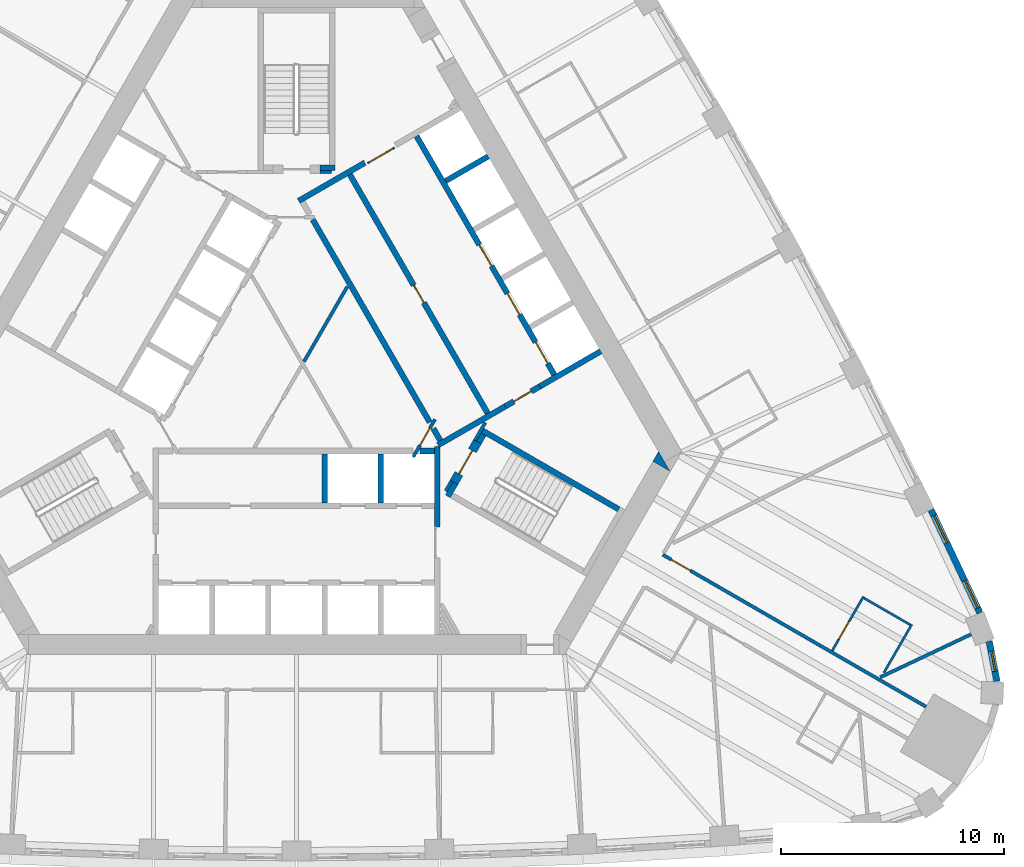
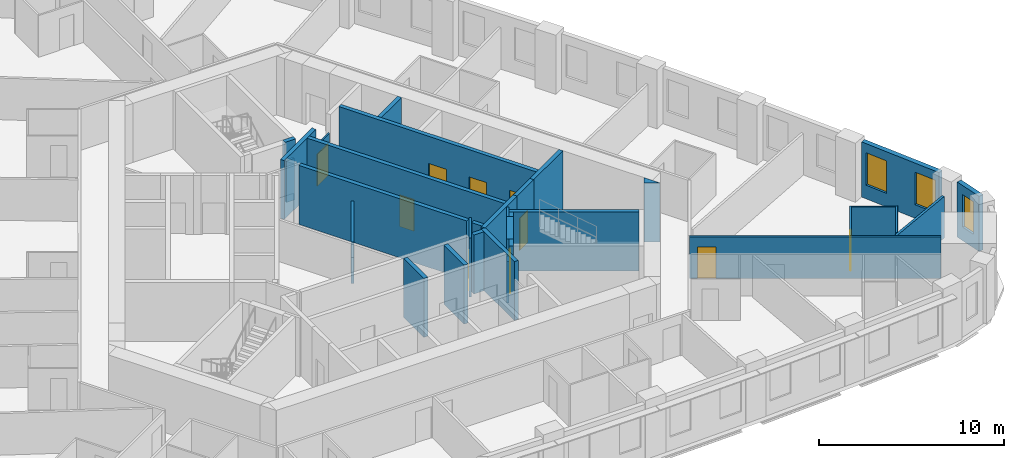
# One storey, part 8 of 12: 32 walls, 10 doors, 3 windows, 13 openings.
"""IFC4 building model written with IfcOpenShell, lengths in metres."""

import ifcopenshell
import ifcopenshell.guid

model = None  # the IFC model being written
_history = None  # IfcOwnerHistory: only IFC2X3 demands one
_inside = {}  # id of a spatial element -> (the spatial element, [elements in it])
_under = {}  # id of a project, library or spatial element -> (it, [spatial elements below it])
_declared = {}  # id of a project -> (the project, [libraries it declares])
_typed = {}  # id of a type object -> (the type object, [elements of that type])
_made_of = {}  # id of a material, layer set ... -> (it, [elements and type objects made of it])


def new_model(schema):
    """Start an empty IFC model of exactly this schema.

    Asked for "IFC4X3", IfcOpenShell would pick the latest addendum, in which some entities
    have other attributes; the version numbers below select the first issue.
    IFC2X3 requires an IfcOwnerHistory on every rooted entity: one is made here for all.
    """
    global model, _history
    if schema == "IFC4X3":
        model = ifcopenshell.file(schema_version=(4, 3, 0, 0))
    else:
        model = ifcopenshell.file(schema=schema)
    _inside.clear()
    _under.clear()
    _declared.clear()
    _typed.clear()
    _made_of.clear()
    _history = None
    if model.schema == "IFC2X3":
        org = make("IfcOrganization", Name="unknown")
        user = make(
            "IfcPersonAndOrganization",
            ThePerson=make("IfcPerson", FamilyName="unknown"),
            TheOrganization=org,
        )
        app = make(
            "IfcApplication",
            ApplicationDeveloper=org,
            Version="unknown",
            ApplicationFullName="unknown",
            ApplicationIdentifier="unknown",
        )
        _history = make(
            "IfcOwnerHistory",
            OwningUser=user,
            OwningApplication=app,
            ChangeAction="ADDED",
            CreationDate=0,
        )
    return model


def make(cls, **values):
    """One entity of the class cls with the attributes given. An attribute that is None is left unset."""
    return model.create_entity(
        cls, **{name: value for name, value in values.items() if value is not None}
    )


def rooted(cls, **values):
    """An entity with a GlobalId (a new one), such as an element, a storey or a relation."""
    return make(cls, GlobalId=ifcopenshell.guid.new(), OwnerHistory=_history, **values)


def si_unit(unit_type, name, prefix=None):
    """IfcSIUnit, for example si_unit("LENGTHUNIT", "METRE", prefix="MILLI")."""
    return make("IfcSIUnit", UnitType=unit_type, Prefix=prefix, Name=name)


def assignment(units):
    """IfcUnitAssignment: the units of a project."""
    return None if units is None else make("IfcUnitAssignment", Units=units)


def point(xyz):
    """IfcCartesianPoint."""
    return None if xyz is None else make("IfcCartesianPoint", Coordinates=xyz)


def direction(xyz):
    """IfcDirection."""
    return None if xyz is None else make("IfcDirection", DirectionRatios=xyz)


def frame(location, z_axis=None, x_axis=None):
    """IfcAxis2Placement3D, a coordinate frame: its origin and axes. An axis left out is left unset."""
    return make(
        "IfcAxis2Placement3D",
        Location=point(location),
        Axis=direction(z_axis),
        RefDirection=direction(x_axis),
    )


def frame_2d(location, x_axis=None):
    """IfcAxis2Placement2D, a coordinate frame in the plane: its origin and x axis."""
    return make(
        "IfcAxis2Placement2D", Location=point(location), RefDirection=direction(x_axis)
    )


def origin():
    """The frame at (0, 0, 0) with its axes left unset."""
    return frame((0.0, 0.0, 0.0))


def place(relative_to, where):
    """IfcLocalPlacement: puts the frame where relative to a parent placement (None: the world)."""
    return make(
        "IfcLocalPlacement", PlacementRelTo=relative_to, RelativePlacement=where
    )


def context(
    kind, dimensions, precision=None, world=None, true_north=None, identifier=None
):
    """IfcGeometricRepresentationContext, for example the 3D "Model" context."""
    return make(
        "IfcGeometricRepresentationContext",
        ContextIdentifier=identifier,
        ContextType=kind,
        CoordinateSpaceDimension=dimensions,
        Precision=precision,
        WorldCoordinateSystem=world,
        TrueNorth=true_north,
    )


def subcontext(parent, identifier, kind, view, scale=None):
    """IfcGeometricRepresentationSubContext, for example "Body" below "Model"."""
    return make(
        "IfcGeometricRepresentationSubContext",
        ContextIdentifier=identifier,
        ContextType=kind,
        ParentContext=parent,
        TargetScale=scale,
        TargetView=view,
    )


def project(units=None, contexts=None):
    """IfcProject with its units and contexts."""
    return rooted(
        "IfcProject",
        Name="project",
        RepresentationContexts=contexts,
        UnitsInContext=assignment(units),
    )


def spatial(cls, under=None, at=None, **own):
    """A site, building, storey or space (cls), placed at a placement, below another one or the project."""
    s = rooted(cls, ObjectPlacement=at, **own)
    if under is not None:
        _under.setdefault(under.id(), (under, []))[1].append(s)
    return s


def polyline(points):
    """IfcPolyline through the points."""
    return make("IfcPolyline", Points=[point(p) for p in points])


def profile(cls, at=None, kind="AREA", **sizes):
    """A parametric profile (cls). Its sizes go by their IFC names, for example OverallWidth=200.0."""
    return make(cls, ProfileType=kind, Position=at, **sizes)


def rectangle(**sizes):
    """IfcRectangleProfileDef."""
    return profile("IfcRectangleProfileDef", **sizes)


def outline(outer, holes=None, kind="AREA"):
    """IfcArbitraryClosedProfileDef: a profile drawn as a closed curve; with holes, ...WithVoids."""
    if holes is None:
        return make("IfcArbitraryClosedProfileDef", ProfileType=kind, OuterCurve=outer)
    return make(
        "IfcArbitraryProfileDefWithVoids",
        ProfileType=kind,
        OuterCurve=outer,
        InnerCurves=holes,
    )


def extrude(swept, where, along, depth):
    """IfcExtrudedAreaSolid: the profile swept, set in the frame where, extruded along a direction by depth."""
    return make(
        "IfcExtrudedAreaSolid",
        SweptArea=swept,
        Position=where,
        ExtrudedDirection=direction(along),
        Depth=depth,
    )


def shape(context_of_items, identifier, shape_type, items):
    """IfcShapeRepresentation: the items that make up one representation, for example the "Body"."""
    return make(
        "IfcShapeRepresentation",
        ContextOfItems=context_of_items,
        RepresentationIdentifier=identifier,
        RepresentationType=shape_type,
        Items=items,
    )


def material(Name=None, Category=None):
    """IfcMaterial."""
    return make("IfcMaterial", Name=Name, Category=Category)


def layer(
    of_material, thickness, ventilated=None, Name=None, Category=None, Priority=None
):
    """IfcMaterialLayer: one layer of a wall or slab, of a material (None: an air gap)."""
    return make(
        "IfcMaterialLayer",
        Material=of_material,
        LayerThickness=thickness,
        IsVentilated=ventilated,
        Name=Name,
        Category=Category,
        Priority=Priority,
    )


def layer_set(layers, Name=None):
    """IfcMaterialLayerSet."""
    return make("IfcMaterialLayerSet", MaterialLayers=layers, LayerSetName=Name)


def made_of(thing, what):
    """Note that an element or type object is made of a material, layer set ...; save() writes the relation."""
    if what is not None:
        _made_of.setdefault(what.id(), (what, []))[1].append(thing)
    return thing


def type_object(cls, material=None, **own):
    """A type object (cls), such as IfcWallType, which elements share."""
    return made_of(rooted(cls, **own), material)


def element(
    cls,
    number,
    at=None,
    inside=None,
    cuts=None,
    type_object=None,
    material=None,
    context=None,
    identifier="Body",
    shape_type=None,
    held_by="IfcProductDefinitionShape",
    body=None,
    shapes=None,
    **own,
):
    """One element of the class cls, such as IfcWall. Its Tag is "e" and its number.

    at: its placement. inside: the storey or other place that contains it. cuts: it is an
    opening in that element (IfcRelVoidsElement). A single representation is given by context,
    identifier, shape_type and body (its items); several are given by shapes. held_by: the class
    of the entity that holds the representations. save() writes the other relations.
    """
    e = rooted(cls, Tag="e%d" % number, ObjectPlacement=at, **own)
    if body is not None:
        shapes = [shape(context, identifier, shape_type, body)]
    if shapes is not None:
        e.Representation = make(held_by, Representations=shapes)
    if inside is not None:
        _inside.setdefault(inside.id(), (inside, []))[1].append(e)
    if cuts is not None:
        rooted(
            "IfcRelVoidsElement", RelatingBuildingElement=cuts, RelatedOpeningElement=e
        )
    if type_object is not None:
        _typed.setdefault(type_object.id(), (type_object, []))[1].append(e)
    return made_of(e, material)


def fill(opening, filler):
    """IfcRelFillsElement: the door or window that sits in an opening."""
    return rooted(
        "IfcRelFillsElement",
        RelatingOpeningElement=opening,
        RelatedBuildingElement=filler,
    )


def aggregate(whole, parts):
    """IfcRelAggregates: a whole, such as a stair, and the parts it consists of."""
    return rooted("IfcRelAggregates", RelatingObject=whole, RelatedObjects=parts)


def save(model, path):
    """Write the relations noted so far, then the file.

    IfcRelAggregates (storeys below a building ...), IfcRelContainedInSpatialStructure (elements
    in a storey), IfcRelDefinesByType, IfcRelAssociatesMaterial and IfcRelDeclares: one each for
    every whole, place, type object, material and project.
    """
    for whole, parts in _under.values():
        aggregate(whole, parts)
    for where, things in _inside.values():
        rooted(
            "IfcRelContainedInSpatialStructure",
            RelatedElements=things,
            RelatingStructure=where,
        )
    for kind, things in _typed.values():
        rooted("IfcRelDefinesByType", RelatedObjects=things, RelatingType=kind)
    for what, things in _made_of.values():
        rooted("IfcRelAssociatesMaterial", RelatedObjects=things, RelatingMaterial=what)
    for by, libraries in _declared.values():
        rooted("IfcRelDeclares", RelatingContext=by, RelatedDefinitions=libraries)
    model.write(path)


model = new_model("IFC4")

# Units and contexts
model_context = context("Model", 3, precision=1e-05, world=origin(), true_north=direction((0.0, 1.0)))
body_context = subcontext(model_context, "Body", "Model", "MODEL_VIEW")
ifc_project = project(units=[si_unit("LENGTHUNIT", "METRE"), si_unit("AREAUNIT", "SQUARE_METRE"), si_unit("VOLUMEUNIT", "CUBIC_METRE"), si_unit("PLANEANGLEUNIT", "RADIAN"), si_unit("MASSUNIT", "GRAM", prefix="KILO")], contexts=[model_context])

# Site, building, storey
site_placement = place(None, origin())
site = spatial("IfcSite", under=ifc_project, at=site_placement, CompositionType="ELEMENT")
building_placement = place(site_placement, origin())
building = spatial("IfcBuilding", under=site, at=building_placement, Name="Mestral Congress Tower", CompositionType="ELEMENT")
storey_placement = place(building_placement, frame((0.0, 0.0, 118.800048828125)))
storey = spatial("IfcBuildingStorey", under=building, at=storey_placement, Name="L28", CompositionType="ELEMENT", Elevation=118.800048828125)

# Walls
ifc_material_1 = material(Name="Fire-rated board partition")
ifc_layer_1 = layer(ifc_material_1, 0.14990234375)
ifc_layer_set_1 = layer_set([ifc_layer_1], Name="Fire-rated board partition")
wall_type_1 = type_object("IfcWallType", Name="Core partition 150", PredefinedType="PARTITIONING", material=ifc_layer_set_1)
wall_1_placement = place(storey_placement, frame((6.94482421875, -5.22216796875, 0.0), z_axis=(0.0, 0.0, 1.0), x_axis=(-0.499818422106, -0.866130212453, 0.0)))
element("IfcWall", 1, at=wall_1_placement, inside=storey, type_object=wall_type_1, Name="L28 core wall", PredefinedType="PARTITIONING", context=body_context, shape_type="SweptSolid", body=[
    extrude(rectangle(XDim=0.513916015625, YDim=0.14990234375, at=frame_2d((0.2568359375, 0.0))), origin(), (0.0, 0.0, 1.0), 2.75),
])
wall_2_placement = place(storey_placement, frame((0.3359375, 0.1318359375, 0.0), z_axis=(0.0, 0.0, 1.0), x_axis=(0.500001957507, 0.866024273614, 0.0)))
element("IfcWall", 2, at=wall_2_placement, inside=storey, type_object=wall_type_1, Name="L28 core wall", PredefinedType="PARTITIONING", context=body_context, shape_type="SweptSolid", body=[
    extrude(rectangle(XDim=3.88134765625, YDim=0.14990234375, at=frame_2d((1.940673828125, 0.0))), origin(), (0.0, 0.0, 1.0), 2.75),
])
wall_3_placement = place(storey_placement, frame((1.050048828125, 8.62548828125, 0.0), z_axis=(0.0, 0.0, 1.0), x_axis=(1.0, 0.0, 0.0)))
element("IfcWall", 3, at=wall_3_placement, inside=storey, type_object=wall_type_1, Name="L28 core wall", PredefinedType="PARTITIONING", context=body_context, shape_type="SweptSolid", body=[
    extrude(rectangle(XDim=0.513916015625, YDim=0.14990234375, at=frame_2d((0.2568359375, 0.0))), origin(), (0.0, 0.0, 1.0), 2.75),
])

# Wall, opening, door
ifc_layer_2 = layer(ifc_material_1, 0.090087890625)
ifc_layer_set_2 = layer_set([ifc_layer_2], Name="Fire-rated board partition")
wall_type_2 = type_object("IfcWallType", Name="Core partition 150 door-wall 90", PredefinedType="PARTITIONING", material=ifc_layer_set_2)
wall_4_placement = place(storey_placement, frame((3.182861328125, 9.02001953125, 0.0), z_axis=(0.0, 0.0, 1.0), x_axis=(0.866034573852, 0.49998411664, 0.0)))
wall_4 = element("IfcWall", 4, at=wall_4_placement, inside=storey, type_object=wall_type_2, Name="L28 door wall", PredefinedType="PARTITIONING", context=body_context, shape_type="SweptSolid", body=[
    extrude(rectangle(XDim=1.39990234375, YDim=0.090087890625, at=frame_2d((0.699951171875, 0.0))), origin(), (0.0, 0.0, 1.0), 2.75),
])
opening_1_placement = place(wall_4_placement, frame((0.10009765625, 0.0, 0.0)))
opening_1 = element("IfcOpeningElement", 5, at=opening_1_placement, cuts=wall_4, Name="Opening LB1-WL2", PredefinedType="OPENING", context=body_context, shape_type="SweptSolid", body=[
    extrude(rectangle(XDim=1.199951171875, YDim=2.10009765625, at=frame_2d((0.60009765625, 1.050048828125))), frame((0.0, 0.054931640625, 0.0), z_axis=(0.0, -1.0, 0.0), x_axis=(1.0, 0.0, 0.0)), (0.0, 0.0, 1.0), 0.110107421875),
])
ifc_material_2 = material(Name="Fire-rated steel door set", Category="steel")
door_type_1 = type_object("IfcDoorType", Name="Core door LB 1200x2100", OperationType="SINGLE_SWING_LEFT", PredefinedType="DOOR", material=ifc_material_2)
door_1_placement = place(opening_1_placement, origin())
door_1 = element("IfcDoor", 6, at=door_1_placement, inside=storey, type_object=door_type_1, Name="Door LB1-WL2", OperationType="SINGLE_SWING_LEFT", OverallHeight=2.10009765625, OverallWidth=1.199951171875, PredefinedType="DOOR", context=body_context, shape_type="SweptSolid", body=[
    extrude(rectangle(XDim=1.199951171875, YDim=2.10009765625, at=frame_2d((0.60009765625, 1.050048828125))), frame((0.0, 0.02490234375, 0.0), z_axis=(0.0, -1.0, 0.0), x_axis=(1.0, 0.0, 0.0)), (0.0, 0.0, 1.0), 0.050048828125),
])
fill(opening_1, door_1)

# Wall
ifc_material_3 = material(Name="Concrete C60/75", Category="concrete")
ifc_layer_3 = layer(ifc_material_3, 0.89990234375)
ifc_layer_set_3 = layer_set([ifc_layer_3], Name="Concrete C60/75")
wall_type_3 = type_object("IfcWallType", Name="Core wall RC 900", PredefinedType="SOLIDWALL", material=ifc_layer_set_3)
placement = place(storey_placement, origin())
element("IfcWall", 7, at=placement, inside=storey, type_object=wall_type_3, Name="L28 core wall", PredefinedType="SOLIDWALL", context=body_context, shape_type="SweptSolid", body=[
    extrude(outline(polyline([(16.223388671875, -3.89990234375), (16.731689453125, -4.780029296875), (15.969482421875, -4.33984375), (16.223388671875, -3.89990234375)])), origin(), (0.0, 0.0, 1.0), 3.89990234375),
])

# Wall, opening, window
ifc_material_4 = material(Name="Precast concrete C40/50 with limestone facing", Category="masonry")
ifc_layer_4 = layer(ifc_material_4, 0.2900390625)
ifc_layer_set_4 = layer_set([ifc_layer_4], Name="Precast concrete C40/50 with limestone facing")
wall_type_4 = type_object("IfcWallType", Name="Facade stone wall 290", PredefinedType="SOLIDWALL", material=ifc_layer_set_4)
wall_6_placement = place(storey_placement, frame((31.385498046875, -14.189208984375, 0.0), z_axis=(0.0, 0.0, 1.0), x_axis=(-0.190409913989, 0.981704672829, 0.0)))
wall_6 = element("IfcWall", 8, at=wall_6_placement, inside=storey, type_object=wall_type_4, Name="Facade wall K0-3", PredefinedType="SOLIDWALL", context=body_context, shape_type="SweptSolid", body=[
    extrude(rectangle(XDim=1.8193359375, YDim=0.2900390625, at=frame_2d((0.90966796875, 0.0))), origin(), (0.0, 0.0, 1.0), 3.64990234375),
])
opening_2_placement = place(wall_6_placement, frame((0.459716796875, 0.0, 0.89990234375)))
opening_2 = element("IfcOpeningElement", 9, at=opening_2_placement, cuts=wall_6, Name="Opening W3", PredefinedType="OPENING", context=body_context, shape_type="SweptSolid", body=[
    extrude(rectangle(XDim=0.89990234375, YDim=2.14990234375, at=frame_2d((0.449951171875, 1.074951171875))), frame((0.0, 0.155029296875, 0.0), z_axis=(0.0, -1.0, 0.0), x_axis=(1.0, 0.0, 0.0)), (0.0, 0.0, 1.0), 0.31005859375),
])
ifc_material_5 = material(Name="Clear low-emissivity double glazing", Category="glass")
window_type_1 = type_object("IfcWindowType", Name="Facade punched window 900 x 2150 sill 900", PartitioningType="SINGLE_PANEL", PredefinedType="WINDOW", material=ifc_material_5)
window_1_placement = place(opening_2_placement, origin())
window_1 = element("IfcWindow", 10, at=window_1_placement, inside=storey, type_object=window_type_1, Name="Window K0-3", OverallHeight=2.14990234375, OverallWidth=0.89990234375, PartitioningType="SINGLE_PANEL", PredefinedType="WINDOW", context=body_context, shape_type="SweptSolid", body=[
    extrude(rectangle(XDim=0.89990234375, YDim=2.14990234375, at=frame_2d((0.449951171875, 1.074951171875))), frame((0.0, 0.01513671875, 0.0), z_axis=(0.0, -1.0, 0.0), x_axis=(1.0, 0.0, 0.0)), (0.0, 0.0, 1.0), 0.06005859375),
])
fill(opening_2, window_1)

# Wall, openings, windows
wall_7_placement = place(storey_placement, frame((30.61962890625, -11.127197265625, 0.0), z_axis=(0.0, 0.0, 1.0), x_axis=(-0.427543726596, 0.903994669148, 0.0)))
wall_7 = element("IfcWall", 11, at=wall_7_placement, inside=storey, type_object=wall_type_4, Name="Facade wall F1-00", PredefinedType="SOLIDWALL", context=body_context, shape_type="SweptSolid", body=[
    extrude(rectangle(XDim=5.106689453125, YDim=0.2900390625, at=frame_2d((2.55322265625, 0.0))), origin(), (0.0, 0.0, 1.0), 3.64990234375),
])
opening_3_placement = place(wall_7_placement, frame((0.240478515625, 0.0, 0.89990234375)))
opening_3 = element("IfcOpeningElement", 12, at=opening_3_placement, cuts=wall_7, Name="Opening W2", PredefinedType="OPENING", context=body_context, shape_type="SweptSolid", body=[
    extrude(rectangle(XDim=1.35009765625, YDim=2.14990234375, at=frame_2d((0.675048828125, 1.074951171875))), frame((0.0, 0.155029296875, 0.0), z_axis=(0.0, -1.0, 0.0), x_axis=(1.0, 0.0, 0.0)), (0.0, 0.0, 1.0), 0.31005859375),
])
opening_4_placement = place(wall_7_placement, frame((3.47119140625, 0.0, 0.89990234375)))
opening_4 = element("IfcOpeningElement", 13, at=opening_4_placement, cuts=wall_7, Name="Opening W2", PredefinedType="OPENING", context=body_context, shape_type="SweptSolid", body=[
    extrude(rectangle(XDim=1.35009765625, YDim=2.14990234375, at=frame_2d((0.675048828125, 1.074951171875))), frame((0.0, 0.155029296875, 0.0), z_axis=(0.0, -1.0, 0.0), x_axis=(1.0, 0.0, 0.0)), (0.0, 0.0, 1.0), 0.31005859375),
])
window_type_2 = type_object("IfcWindowType", Name="Facade punched window 1350 x 2150 sill 900", PartitioningType="DOUBLE_PANEL_VERTICAL", PredefinedType="WINDOW", material=ifc_material_5)
window_2_placement = place(opening_3_placement, origin())
window_2 = element("IfcWindow", 14, at=window_2_placement, inside=storey, type_object=window_type_2, Name="Window F1-00a", OverallHeight=2.14990234375, OverallWidth=1.35009765625, PartitioningType="DOUBLE_PANEL_VERTICAL", PredefinedType="WINDOW", context=body_context, shape_type="SweptSolid", body=[
    extrude(rectangle(XDim=1.35009765625, YDim=2.14990234375, at=frame_2d((0.675048828125, 1.074951171875))), frame((0.0, 0.01513671875, 0.0), z_axis=(0.0, -1.0, 0.0), x_axis=(1.0, 0.0, 0.0)), (0.0, 0.0, 1.0), 0.06005859375),
])
fill(opening_3, window_2)
window_3_placement = place(opening_4_placement, origin())
window_3 = element("IfcWindow", 15, at=window_3_placement, inside=storey, type_object=window_type_2, Name="Window F1-00b", OverallHeight=2.14990234375, OverallWidth=1.35009765625, PartitioningType="DOUBLE_PANEL_VERTICAL", PredefinedType="WINDOW", context=body_context, shape_type="SweptSolid", body=[
    extrude(rectangle(XDim=1.35009765625, YDim=2.14990234375, at=frame_2d((0.675048828125, 1.074951171875))), frame((0.0, 0.01513671875, 0.0), z_axis=(0.0, -1.0, 0.0), x_axis=(1.0, 0.0, 0.0)), (0.0, 0.0, 1.0), 0.06005859375),
])
fill(opening_4, window_3)

# Wall, opening, door
ifc_material_6 = material(Name="Gypsum board partition on metal studs with mineral wool", Category="composite")
ifc_layer_5 = layer(ifc_material_6, 0.10009765625)
ifc_layer_set_5 = layer_set([ifc_layer_5], Name="Gypsum board partition on metal studs with mineral wool")
wall_type_5 = type_object("IfcWallType", Name="Hotel partition wall 100", PredefinedType="PARTITIONING", material=ifc_layer_set_5)
wall_8_placement = place(storey_placement, frame((25.40380859375, -10.39453125, 0.0), z_axis=(0.0, 0.0, 1.0), x_axis=(-0.49998411664, -0.866034573852, 0.0)))
wall_8 = element("IfcWall", 16, at=wall_8_placement, inside=storey, type_object=wall_type_5, Name="L28-h-pod07a", PredefinedType="PARTITIONING", context=body_context, shape_type="SweptSolid", body=[
    extrude(rectangle(XDim=2.7998046875, YDim=0.10009765625, at=frame_2d((1.39990234375, 0.0))), origin(), (0.0, 0.0, 1.0), 2.75),
])
opening_5_placement = place(wall_8_placement, frame((1.300048828125, 0.0, 0.0)))
opening_5 = element("IfcOpeningElement", 17, at=opening_5_placement, cuts=wall_8, Name="Opening H09-014", PredefinedType="OPENING", context=body_context, shape_type="SweptSolid", body=[
    extrude(rectangle(XDim=0.89990234375, YDim=2.10009765625, at=frame_2d((0.449951171875, 1.050048828125))), frame((0.0, 0.06005859375, 0.0), z_axis=(0.0, -1.0, 0.0), x_axis=(1.0, 0.0, 0.0)), (0.0, 0.0, 1.0), 0.1201171875),
])
ifc_material_7 = material(Name="Timber veneer door leaf in timber frame", Category="wood")
door_type_2 = type_object("IfcDoorType", Name="Bathroom door 900", OperationType="SINGLE_SWING_LEFT", PredefinedType="DOOR", material=ifc_material_7)
door_2_placement = place(opening_5_placement, origin())
door_2 = element("IfcDoor", 18, at=door_2_placement, inside=storey, type_object=door_type_2, Name="L28-h-d014", OperationType="SINGLE_SWING_LEFT", OverallHeight=2.10009765625, OverallWidth=0.89990234375, PredefinedType="DOOR", context=body_context, shape_type="SweptSolid", body=[
    extrude(rectangle(XDim=0.89990234375, YDim=2.10009765625, at=frame_2d((0.449951171875, 1.050048828125))), frame((0.0, 0.02490234375, 0.0), z_axis=(0.0, -1.0, 0.0), x_axis=(1.0, 0.0, 0.0)), (0.0, 0.0, 1.0), 0.050048828125),
])
fill(opening_5, door_2)

# Walls
wall_9_placement = place(storey_placement, frame((25.422119140625, -10.462890625, 0.0), z_axis=(0.0, 0.0, 1.0), x_axis=(0.866024647952, -0.500001309137, 0.0)))
element("IfcWall", 19, at=wall_9_placement, inside=storey, type_object=wall_type_5, Name="L28-h-pod07b", PredefinedType="PARTITIONING", context=body_context, shape_type="SweptSolid", body=[
    extrude(rectangle(XDim=2.39990234375, YDim=0.10009765625, at=frame_2d((1.199951171875, 0.0))), origin(), (0.0, 0.0, 1.0), 2.75),
])
wall_10_placement = place(storey_placement, frame((26.31884765625, -13.8095703125, 0.0), z_axis=(0.0, 0.0, 1.0), x_axis=(0.500004234368, 0.866022959057, 0.0)))
element("IfcWall", 20, at=wall_10_placement, inside=storey, type_object=wall_type_5, Name="L28-h-pod07c", PredefinedType="PARTITIONING", context=body_context, shape_type="SweptSolid", body=[
    extrude(rectangle(XDim=2.5, YDim=0.10009765625, at=frame_2d((1.25, 0.0))), origin(), (0.0, 0.0, 1.0), 2.75),
])

# Wall, opening, door
ifc_layer_6 = layer(ifc_material_6, 0.14990234375)
ifc_layer_set_6 = layer_set([ifc_layer_6], Name="Gypsum board partition on metal studs with mineral wool")
wall_type_6 = type_object("IfcWallType", Name="Hotel partition wall 150", PredefinedType="PARTITIONING", material=ifc_layer_set_6)
wall_11_placement = place(storey_placement, frame((16.412353515625, -8.52294921875, 0.0), z_axis=(0.0, 0.0, 1.0), x_axis=(0.866025629663, -0.499999608766, 0.0)))
wall_11 = element("IfcWall", 21, at=wall_11_placement, inside=storey, type_object=wall_type_6, Name="L28-h-cw01", PredefinedType="PARTITIONING", context=body_context, shape_type="SweptSolid", body=[
    extrude(rectangle(XDim=13.62353515625, YDim=0.14990234375, at=frame_2d((6.811767578125, 0.0))), origin(), (0.0, 0.0, 1.0), 2.75),
])
opening_6_placement = place(wall_11_placement, frame((0.42626953125, 0.0, 0.0)))
opening_6 = element("IfcOpeningElement", 22, at=opening_6_placement, cuts=wall_11, Name="Opening H09-013", PredefinedType="OPENING", context=body_context, shape_type="SweptSolid", body=[
    extrude(rectangle(XDim=1.0, YDim=2.10009765625, at=frame_2d((0.5, 1.050048828125))), frame((0.0, 0.0849609375, 0.0), z_axis=(0.0, -1.0, 0.0), x_axis=(1.0, 0.0, 0.0)), (0.0, 0.0, 1.0), 0.169921875),
])
ifc_material_8 = material(Name="Timber veneer door leaf in metal frame", Category="wood")
door_type_3 = type_object("IfcDoorType", Name="Guest room entrance door 1000", OperationType="SINGLE_SWING_LEFT", PredefinedType="DOOR", material=ifc_material_8)
door_3_placement = place(opening_6_placement, origin())
door_3 = element("IfcDoor", 23, at=door_3_placement, inside=storey, type_object=door_type_3, Name="L28-h-d013", OperationType="SINGLE_SWING_LEFT", OverallHeight=2.10009765625, OverallWidth=1.0, PredefinedType="DOOR", context=body_context, shape_type="SweptSolid", body=[
    extrude(rectangle(XDim=1.0, YDim=2.10009765625, at=frame_2d((0.5, 1.050048828125))), frame((0.0, 0.02490234375, 0.0), z_axis=(0.0, -1.0, 0.0), x_axis=(1.0, 0.0, 0.0)), (0.0, 0.0, 1.0), 0.050048828125),
])
fill(opening_6, door_3)

# Walls
wall_12_placement = place(storey_placement, frame((30.23095703125, -12.08544921875, 0.0), z_axis=(0.0, 0.0, 1.0), x_axis=(-0.904001132572, -0.427530060122, 0.0)))
element("IfcWall", 24, at=wall_12_placement, inside=storey, type_object=wall_type_6, Name="L28-h-pw22", PredefinedType="PARTITIONING", context=body_context, shape_type="SweptSolid", body=[
    extrude(rectangle(XDim=4.509521484375, YDim=0.14990234375, at=frame_2d((2.2548828125, 0.0))), origin(), (0.0, 0.0, 1.0), 2.75),
])
ifc_layer_7 = layer(ifc_material_3, 0.25)
ifc_layer_set_7 = layer_set([ifc_layer_7], Name="Concrete C60/75")
wall_type_7 = type_object("IfcWallType", Name="Shaft wall RC 250", PredefinedType="SOLIDWALL", material=ifc_layer_set_7)
for number, where, z_axis, x_axis, name in (
    (25, (3.780029296875, -4.0, 0.0), (0.0, 0.0, 1.0), (0.0, -1.0, 0.0), "L28 core wall"),
    (26, (1.260009765625, -4.0, 0.0), (0.0, 0.0, 1.0), (0.0, -1.0, 0.0), "L28 core wall"),
):
    element("IfcWall", number, at=place(storey_placement, frame(where, z_axis=z_axis, x_axis=x_axis)), inside=storey, type_object=wall_type_7, Name=name, PredefinedType="SOLIDWALL", context=body_context, shape_type="SweptSolid", body=[
        extrude(rectangle(XDim=2.199951171875, YDim=0.25, at=frame_2d((1.10009765625, 0.0))), origin(), (0.0, 0.0, 1.0), 3.89990234375),
    ])
wall_13_placement = place(storey_placement, frame((6.300048828125, -7.27001953125, 0.0), z_axis=(0.0, 0.0, 1.0), x_axis=(0.0, 1.0, 0.0)))
element("IfcWall", 27, at=wall_13_placement, inside=storey, type_object=wall_type_7, Name="L28 core wall", PredefinedType="SOLIDWALL", context=body_context, shape_type="SweptSolid", body=[
    extrude(rectangle(XDim=3.586181640625, YDim=0.25, at=frame_2d((1.79296875, 0.0))), origin(), (0.0, 0.0, 1.0), 3.89990234375),
])
wall_14_placement = place(storey_placement, frame((5.538330078125, -3.875, 0.0), z_axis=(0.0, 0.0, 1.0), x_axis=(1.0, 0.0, 0.0)))
element("IfcWall", 28, at=wall_14_placement, inside=storey, type_object=wall_type_7, Name="L28 core wall", PredefinedType="SOLIDWALL", context=body_context, shape_type="SweptSolid", body=[
    extrude(rectangle(XDim=0.63671875, YDim=0.25, at=frame_2d((0.318359375, 0.0))), origin(), (0.0, 0.0, 1.0), 3.89990234375),
])
wall_15_placement = place(storey_placement, frame((13.62890625, 0.593994140625, 0.0), z_axis=(0.0, 0.0, 1.0), x_axis=(-0.86602790099, -0.499995674689, 0.0)))
element("IfcWall", 29, at=wall_15_placement, inside=storey, type_object=wall_type_7, Name="L28 core wall", PredefinedType="SOLIDWALL", context=body_context, shape_type="SweptSolid", body=[
    extrude(rectangle(XDim=3.1455078125, YDim=0.25, at=frame_2d((1.57275390625, 0.0))), origin(), (0.0, 0.0, 1.0), 3.89990234375),
])
wall_16_placement = place(storey_placement, frame((9.345703125, -1.87890625, 0.0), z_axis=(0.0, 0.0, 1.0), x_axis=(-0.866048528039, -0.499959945477, 0.0)))
element("IfcWall", 30, at=wall_16_placement, inside=storey, type_object=wall_type_7, Name="L28 core wall", PredefinedType="SOLIDWALL", context=body_context, shape_type="SweptSolid", body=[
    extrude(rectangle(XDim=3.470458984375, YDim=0.25, at=frame_2d((1.7353515625, 0.0))), origin(), (0.0, 0.0, 1.0), 3.89990234375),
])
wall_17_placement = place(storey_placement, frame((6.1298828125, -2.867431640625, 0.0), z_axis=(0.0, 0.0, 1.0), x_axis=(0.500160776593, -0.865932559475, 0.0)))
element("IfcWall", 31, at=wall_17_placement, inside=storey, type_object=wall_type_7, Name="L28 core wall", PredefinedType="SOLIDWALL", context=body_context, shape_type="SweptSolid", body=[
    extrude(rectangle(XDim=0.626708984375, YDim=0.25, at=frame_2d((0.3134765625, 0.0))), origin(), (0.0, 0.0, 1.0), 3.89990234375),
])
wall_18_placement = place(storey_placement, frame((6.68359375, 8.2236328125, 0.0), z_axis=(0.0, 0.0, 1.0), x_axis=(0.86605622881, 0.499946605688, 0.0)))
element("IfcWall", 32, at=wall_18_placement, inside=storey, type_object=wall_type_7, Name="L28 core wall", PredefinedType="SOLIDWALL", context=body_context, shape_type="SweptSolid", body=[
    extrude(rectangle(XDim=2.199951171875, YDim=0.25, at=frame_2d((1.10009765625, 0.0))), origin(), (0.0, 0.0, 1.0), 3.89990234375),
])
element("IfcWall", 33, at=placement, inside=storey, type_object=wall_type_7, Name="L28 core wall", PredefinedType="SOLIDWALL", context=body_context, shape_type="SweptSolid", body=[
    extrude(outline(polyline([(2.776123046875, 8.73291015625), (2.49853515625, 8.57275390625), (2.498291015625, 8.57275390625), (2.498291015625, 8.57275390625), (2.28173828125, 8.44775390625), (2.28173828125, 8.44775390625), (0.376708984375, 7.34765625), (0.16015625, 7.22265625), (0.03515625, 7.439208984375), (3.031982421875, 9.16943359375), (3.02978515625, 9.152099609375), (3.029541015625, 9.132568359375), (3.03125, 9.113037109375), (3.03466796875, 9.09375), (3.0400390625, 9.074951171875), (3.04736328125, 9.056640625), (3.05615234375, 9.0390625), (3.118896484375, 8.930908203125), (2.776123046875, 8.73291015625)])), origin(), (0.0, 0.0, 1.0), 3.89990234375),
])
wall_20_placement = place(storey_placement, frame((5.970458984375, -2.591064453125, 0.0), z_axis=(0.0, 0.0, 1.0), x_axis=(-0.499994469932, 0.866028596547, 0.0)))
element("IfcWall", 34, at=wall_20_placement, inside=storey, type_object=wall_type_7, Name="L28 core wall", PredefinedType="SOLIDWALL", context=body_context, shape_type="SweptSolid", body=[
    extrude(rectangle(XDim=10.48828125, YDim=0.25, at=frame_2d((5.244140625, 0.0))), origin(), (0.0, 0.0, 1.0), 3.89990234375),
])

# Wall, openings, doors
wall_21_placement = place(storey_placement, frame((11.552978515625, -0.460205078125, 0.0), z_axis=(0.0, 0.0, 1.0), x_axis=(-0.500006514828, 0.866021642414, 0.0)))
wall_21 = element("IfcWall", 35, at=wall_21_placement, inside=storey, type_object=wall_type_7, Name="L28 door wall", PredefinedType="SOLIDWALL", context=body_context, shape_type="SweptSolid", body=[
    extrude(rectangle(XDim=12.349853515625, YDim=0.25, at=frame_2d((6.1748046875, 0.0))), origin(), (0.0, 0.0, 1.0), 3.89990234375),
])
opening_7_placement = place(wall_21_placement, frame((0.5849609375, 0.0, 0.0)))
opening_7 = element("IfcOpeningElement", 36, at=opening_7_placement, cuts=wall_21, Name="Opening LD-NEA1", PredefinedType="OPENING", context=body_context, shape_type="SweptSolid", body=[
    extrude(rectangle(XDim=1.10009765625, YDim=2.10009765625, at=frame_2d((0.550048828125, 1.050048828125))), frame((0.0, 0.135009765625, 0.0), z_axis=(0.0, -1.0, 0.0), x_axis=(1.0, 0.0, 0.0)), (0.0, 0.0, 1.0), 0.27001953125),
])
opening_8_placement = place(wall_21_placement, frame((3.10498046875, 0.0, 0.0)))
opening_8 = element("IfcOpeningElement", 37, at=opening_8_placement, cuts=wall_21, Name="Opening LD-NEA2", PredefinedType="OPENING", context=body_context, shape_type="SweptSolid", body=[
    extrude(rectangle(XDim=1.10009765625, YDim=2.10009765625, at=frame_2d((0.550048828125, 1.050048828125))), frame((0.0, 0.135009765625, 0.0), z_axis=(0.0, -1.0, 0.0), x_axis=(1.0, 0.0, 0.0)), (0.0, 0.0, 1.0), 0.27001953125),
])
opening_9_placement = place(wall_21_placement, frame((5.625, 0.0, 0.0)))
opening_9 = element("IfcOpeningElement", 38, at=opening_9_placement, cuts=wall_21, Name="Opening LD-NEA3", PredefinedType="OPENING", context=body_context, shape_type="SweptSolid", body=[
    extrude(rectangle(XDim=1.10009765625, YDim=2.10009765625, at=frame_2d((0.550048828125, 1.050048828125))), frame((0.0, 0.135009765625, 0.0), z_axis=(0.0, -1.0, 0.0), x_axis=(1.0, 0.0, 0.0)), (0.0, 0.0, 1.0), 0.27001953125),
])
door_type_4 = type_object("IfcDoorType", Name="Core door LD 1100x2100", OperationType="DOUBLE_DOOR_SLIDING", PredefinedType="DOOR", material=ifc_material_2)
door_4_placement = place(opening_7_placement, origin())
door_4 = element("IfcDoor", 39, at=door_4_placement, inside=storey, type_object=door_type_4, Name="Door LD-NEA1", OperationType="DOUBLE_DOOR_SLIDING", OverallHeight=2.10009765625, OverallWidth=1.10009765625, PredefinedType="DOOR", context=body_context, shape_type="SweptSolid", body=[
    extrude(rectangle(XDim=1.10009765625, YDim=2.10009765625, at=frame_2d((0.550048828125, 1.050048828125))), frame((0.0, 0.02490234375, 0.0), z_axis=(0.0, -1.0, 0.0), x_axis=(1.0, 0.0, 0.0)), (0.0, 0.0, 1.0), 0.050048828125),
])
fill(opening_7, door_4)
door_5_placement = place(opening_8_placement, origin())
door_5 = element("IfcDoor", 40, at=door_5_placement, inside=storey, type_object=door_type_4, Name="Door LD-NEA2", OperationType="DOUBLE_DOOR_SLIDING", OverallHeight=2.10009765625, OverallWidth=1.10009765625, PredefinedType="DOOR", context=body_context, shape_type="SweptSolid", body=[
    extrude(rectangle(XDim=1.10009765625, YDim=2.10009765625, at=frame_2d((0.550048828125, 1.050048828125))), frame((0.0, 0.02490234375, 0.0), z_axis=(0.0, -1.0, 0.0), x_axis=(1.0, 0.0, 0.0)), (0.0, 0.0, 1.0), 0.050048828125),
])
fill(opening_8, door_5)
door_6_placement = place(opening_9_placement, origin())
door_6 = element("IfcDoor", 41, at=door_6_placement, inside=storey, type_object=door_type_4, Name="Door LD-NEA3", OperationType="DOUBLE_DOOR_SLIDING", OverallHeight=2.10009765625, OverallWidth=1.10009765625, PredefinedType="DOOR", context=body_context, shape_type="SweptSolid", body=[
    extrude(rectangle(XDim=1.10009765625, YDim=2.10009765625, at=frame_2d((0.550048828125, 1.050048828125))), frame((0.0, 0.02490234375, 0.0), z_axis=(0.0, -1.0, 0.0), x_axis=(1.0, 0.0, 0.0)), (0.0, 0.0, 1.0), 0.050048828125),
])
fill(opening_9, door_6)

# Wall, opening, door
wall_22_placement = place(storey_placement, frame((8.565185546875, -2.185302734375, 0.0), z_axis=(0.0, 0.0, 1.0), x_axis=(-0.499997954832, 0.866026584559, 0.0)))
wall_22 = element("IfcWall", 42, at=wall_22_placement, inside=storey, type_object=wall_type_7, Name="L28 door wall", PredefinedType="SOLIDWALL", context=body_context, shape_type="SweptSolid", body=[
    extrude(rectangle(XDim=12.35009765625, YDim=0.25, at=frame_2d((6.175048828125, 0.0))), origin(), (0.0, 0.0, 1.0), 3.89990234375),
])
opening_10_placement = place(wall_22_placement, frame((5.72509765625, 0.0, 0.0)))
opening_10 = element("IfcOpeningElement", 43, at=opening_10_placement, cuts=wall_22, Name="Opening SR-NEB1", PredefinedType="OPENING", context=body_context, shape_type="SweptSolid", body=[
    extrude(rectangle(XDim=0.89990234375, YDim=2.10009765625, at=frame_2d((0.449951171875, 1.050048828125))), frame((0.0, 0.135009765625, 0.0), z_axis=(0.0, -1.0, 0.0), x_axis=(1.0, 0.0, 0.0)), (0.0, 0.0, 1.0), 0.27001953125),
])
door_type_5 = type_object("IfcDoorType", Name="Core door SR 900x2100", OperationType="SINGLE_SWING_LEFT", PredefinedType="DOOR", material=ifc_material_2)
door_7_placement = place(opening_10_placement, origin())
door_7 = element("IfcDoor", 44, at=door_7_placement, inside=storey, type_object=door_type_5, Name="Door SR-NEB1", OperationType="SINGLE_SWING_LEFT", OverallHeight=2.10009765625, OverallWidth=0.89990234375, PredefinedType="DOOR", context=body_context, shape_type="SweptSolid", body=[
    extrude(rectangle(XDim=0.89990234375, YDim=2.10009765625, at=frame_2d((0.449951171875, 1.050048828125))), frame((0.0, 0.02490234375, 0.0), z_axis=(0.0, -1.0, 0.0), x_axis=(1.0, 0.0, 0.0)), (0.0, 0.0, 1.0), 0.050048828125),
])
fill(opening_10, door_7)

wall_23_placement = place(storey_placement, frame((9.345947265625, -1.878662109375, 0.0), z_axis=(0.0, 0.0, 1.0), x_axis=(0.866047807691, 0.499961193289, 0.0)))
wall_23 = element("IfcWall", 45, at=wall_23_placement, inside=storey, type_object=wall_type_7, Name="L28 door wall", PredefinedType="SOLIDWALL", context=body_context, shape_type="SweptSolid", body=[
    extrude(rectangle(XDim=1.800048828125, YDim=0.25, at=frame_2d((0.89990234375, 0.0))), origin(), (0.0, 0.0, 1.0), 3.89990234375),
])
opening_11_placement = place(wall_23_placement, frame((0.449951171875, 0.0, 0.0)))
opening_11 = element("IfcOpeningElement", 46, at=opening_11_placement, cuts=wall_23, Name="Opening TD1", PredefinedType="OPENING", context=body_context, shape_type="SweptSolid", body=[
    extrude(rectangle(XDim=0.89990234375, YDim=2.10009765625, at=frame_2d((0.449951171875, 1.050048828125))), frame((0.0, 0.135009765625, 0.0), z_axis=(0.0, -1.0, 0.0), x_axis=(1.0, 0.0, 0.0)), (0.0, 0.0, 1.0), 0.27001953125),
])
door_8_placement = place(opening_11_placement, origin())
door_8 = element("IfcDoor", 47, at=door_8_placement, inside=storey, type_object=door_type_5, Name="Door TD1", OperationType="SINGLE_SWING_LEFT", OverallHeight=2.10009765625, OverallWidth=0.89990234375, PredefinedType="DOOR", context=body_context, shape_type="SweptSolid", body=[
    extrude(rectangle(XDim=0.89990234375, YDim=2.10009765625, at=frame_2d((0.449951171875, 1.050048828125))), frame((0.0, 0.02490234375, 0.0), z_axis=(0.0, -1.0, 0.0), x_axis=(1.0, 0.0, 0.0)), (0.0, 0.0, 1.0), 0.050048828125),
])
fill(opening_11, door_8)

# Wall
ifc_layer_8 = layer(ifc_material_3, 0.14990234375)
ifc_layer_set_8 = layer_set([ifc_layer_8], Name="Concrete C60/75")
wall_type_8 = type_object("IfcWallType", Name="Shaft wall RC 250 door-wall 150", PredefinedType="SOLIDWALL", material=ifc_layer_set_8)
wall_24_placement = place(storey_placement, frame((8.459228515625, -2.59912109375, 0.0), z_axis=(0.0, 0.0, 1.0), x_axis=(-0.500041054325, -0.866001699761, 0.0)))
element("IfcWall", 48, at=wall_24_placement, inside=storey, type_object=wall_type_8, Name="L28 core wall", PredefinedType="PARTITIONING", context=body_context, shape_type="SweptSolid", body=[
    extrude(rectangle(XDim=0.9287109375, YDim=0.14990234375, at=frame_2d((0.46435546875, 0.0))), origin(), (0.0, 0.0, 1.0), 3.89990234375),
])

# Wall, opening, door
wall_25_placement = place(storey_placement, frame((6.203369140625, -2.45556640625, 0.0), z_axis=(0.0, 0.0, 1.0), x_axis=(-0.500043961785, -0.866000020948, 0.0)))
wall_25 = element("IfcWall", 49, at=wall_25_placement, inside=storey, type_object=wall_type_8, Name="L28 door wall", PredefinedType="PARTITIONING", context=body_context, shape_type="SweptSolid", body=[
    extrude(rectangle(XDim=1.949951171875, YDim=0.14990234375, at=frame_2d((0.97509765625, 0.0))), origin(), (0.0, 0.0, 1.0), 3.89990234375),
])
opening_12_placement = place(wall_25_placement, frame((0.449951171875, 0.0, 0.0)))
opening_12 = element("IfcOpeningElement", 50, at=opening_12_placement, cuts=wall_25, Name="Opening CD1-HUB0", PredefinedType="OPENING", context=body_context, shape_type="SweptSolid", body=[
    extrude(rectangle(XDim=0.89990234375, YDim=2.10009765625, at=frame_2d((0.449951171875, 1.050048828125))), frame((0.0, 0.0849609375, 0.0), z_axis=(0.0, -1.0, 0.0), x_axis=(1.0, 0.0, 0.0)), (0.0, 0.0, 1.0), 0.169921875),
])
door_type_6 = type_object("IfcDoorType", Name="Core door CD 900x2100", OperationType="SINGLE_SWING_LEFT", PredefinedType="DOOR", material=ifc_material_2)
door_9_placement = place(opening_12_placement, origin())
door_9 = element("IfcDoor", 51, at=door_9_placement, inside=storey, type_object=door_type_6, Name="Door CD1-HUB0", OperationType="SINGLE_SWING_LEFT", OverallHeight=2.10009765625, OverallWidth=0.89990234375, PredefinedType="DOOR", context=body_context, shape_type="SweptSolid", body=[
    extrude(rectangle(XDim=0.89990234375, YDim=2.10009765625, at=frame_2d((0.449951171875, 1.050048828125))), frame((0.0, 0.02490234375, 0.0), z_axis=(0.0, -1.0, 0.0), x_axis=(1.0, 0.0, 0.0)), (0.0, 0.0, 1.0), 0.050048828125),
])
fill(opening_12, door_9)

# Walls
ifc_layer_9 = layer(ifc_material_3, 0.25)
ifc_layer_set_9 = layer_set([ifc_layer_9], Name="Concrete C60/75")
wall_type_9 = type_object("IfcWallType", Name="Stair wall RC 250", PredefinedType="SOLIDWALL", material=ifc_layer_set_9)
wall_26_placement = place(storey_placement, frame((6.780029296875, -5.906494140625, 0.0), z_axis=(0.0, 0.0, 1.0), x_axis=(0.500223362819, 0.865896406789, 0.0)))
element("IfcWall", 52, at=wall_26_placement, inside=storey, type_object=wall_type_9, Name="L28 core wall", PredefinedType="SOLIDWALL", context=body_context, shape_type="SweptSolid", body=[
    extrude(rectangle(XDim=0.675048828125, YDim=0.25, at=frame_2d((0.33740234375, 0.0))), origin(), (0.0, 0.0, 1.0), 3.89990234375),
])
wall_27_placement = place(storey_placement, frame((8.33447265625, -2.96435546875, 0.0), z_axis=(0.0, 0.0, 1.0), x_axis=(0.866016039709, -0.500016218704, 0.0)))
element("IfcWall", 53, at=wall_27_placement, inside=storey, type_object=wall_type_9, Name="L28 core wall", PredefinedType="SOLIDWALL", context=body_context, shape_type="SweptSolid", body=[
    extrude(rectangle(XDim=7.050048828125, YDim=0.25, at=frame_2d((3.52490234375, 0.0))), origin(), (0.0, 0.0, 1.0), 3.89990234375),
])
wall_28_placement = place(storey_placement, frame((8.167724609375, -3.503173828125, 0.0), z_axis=(0.0, 0.0, 1.0), x_axis=(0.49972245349, 0.866185586049, 0.0)))
element("IfcWall", 54, at=wall_28_placement, inside=storey, type_object=wall_type_9, Name="L28 core wall", PredefinedType="SOLIDWALL", context=body_context, shape_type="SweptSolid", body=[
    extrude(rectangle(XDim=0.425048828125, YDim=0.25, at=frame_2d((0.21240234375, 0.0))), origin(), (0.0, 0.0, 1.0), 3.89990234375),
])
wall_29_placement = place(storey_placement, frame((1.050048828125, 8.824951171875, 0.0), z_axis=(0.0, 0.0, 1.0), x_axis=(1.0, 0.0, 0.0)))
element("IfcWall", 55, at=wall_29_placement, inside=storey, type_object=wall_type_9, Name="L28 core wall", PredefinedType="SOLIDWALL", context=body_context, shape_type="SweptSolid", body=[
    extrude(rectangle(XDim=0.675048828125, YDim=0.25, at=frame_2d((0.33740234375, 0.0))), origin(), (0.0, 0.0, 1.0), 3.89990234375),
])

# Wall, opening, door
ifc_layer_10 = layer(ifc_material_3, 0.39990234375)
ifc_layer_set_10 = layer_set([ifc_layer_10], Name="Concrete C60/75")
wall_type_10 = type_object("IfcWallType", Name="Stair wall RC 250 door-wall 400", PredefinedType="SOLIDWALL", material=ifc_layer_set_10)
wall_30_placement = place(storey_placement, frame((7.052734375, -5.2841796875, 0.0), z_axis=(0.0, 0.0, 1.0), x_axis=(0.500078061341, 0.865980330357, 0.0)))
wall_30 = element("IfcWall", 56, at=wall_30_placement, inside=storey, type_object=wall_type_10, Name="L28 door wall", PredefinedType="SOLIDWALL", context=body_context, shape_type="SweptSolid", body=[
    extrude(rectangle(XDim=2.099853515625, YDim=0.39990234375, at=frame_2d((1.0498046875, 0.0))), origin(), (0.0, 0.0, 1.0), 3.89990234375),
])
opening_13_placement = place(wall_30_placement, frame((0.449951171875, 0.0, 0.0)))
opening_13 = element("IfcOpeningElement", 57, at=opening_13_placement, cuts=wall_30, Name="Opening ST-D1", PredefinedType="OPENING", context=body_context, shape_type="SweptSolid", body=[
    extrude(rectangle(XDim=1.199951171875, YDim=2.10009765625, at=frame_2d((0.60009765625, 1.050048828125))), frame((0.0, 0.2099609375, 0.0), z_axis=(0.0, -1.0, 0.0), x_axis=(1.0, 0.0, 0.0)), (0.0, 0.0, 1.0), 0.419921875),
])
door_type_7 = type_object("IfcDoorType", Name="Core door ST 1200x2100", OperationType="SINGLE_SWING_LEFT", PredefinedType="DOOR", material=ifc_material_2)
door_10_placement = place(opening_13_placement, origin())
door_10 = element("IfcDoor", 58, at=door_10_placement, inside=storey, type_object=door_type_7, Name="Door ST-D1", OperationType="SINGLE_SWING_LEFT", OverallHeight=2.10009765625, OverallWidth=1.199951171875, PredefinedType="DOOR", context=body_context, shape_type="SweptSolid", body=[
    extrude(rectangle(XDim=1.199951171875, YDim=2.10009765625, at=frame_2d((0.60009765625, 1.050048828125))), frame((0.0, 0.02490234375, 0.0), z_axis=(0.0, -1.0, 0.0), x_axis=(1.0, 0.0, 0.0)), (0.0, 0.0, 1.0), 0.050048828125),
])
fill(opening_13, door_10)

save(model, "model.ifc")
